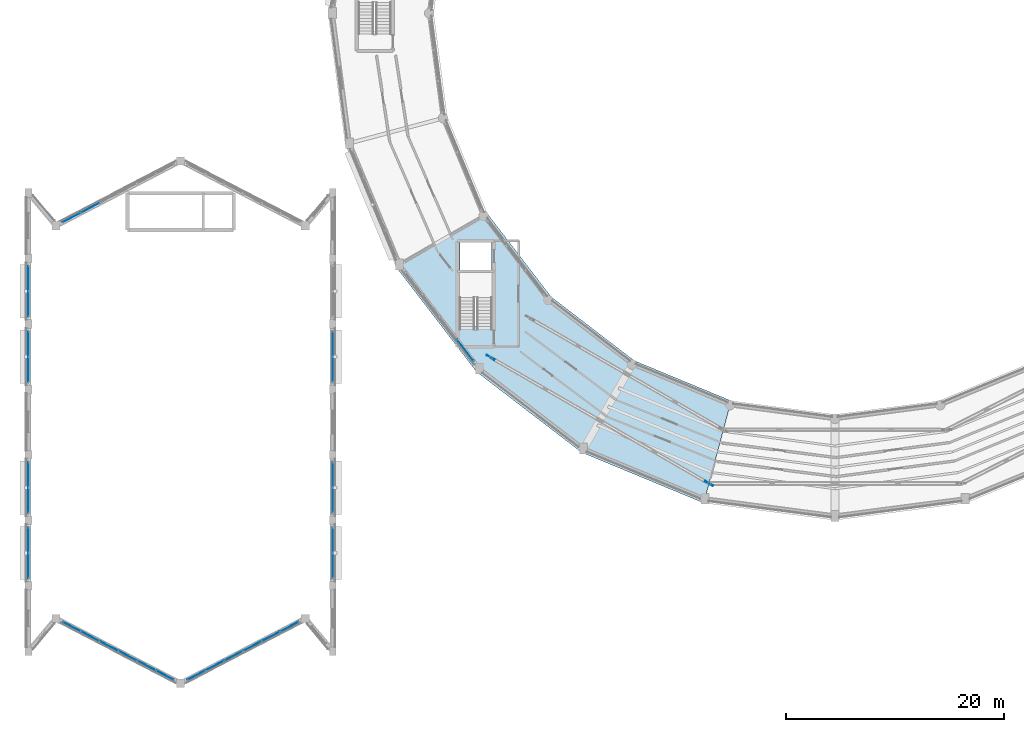
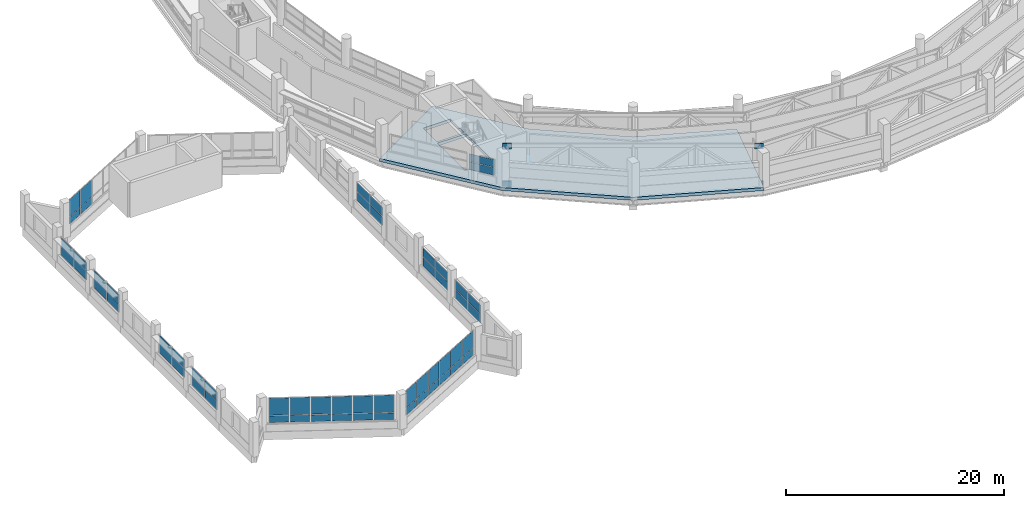
# One storey, part 87 of 121: 62 plates, 1 slab, 11 elements without a shape of their own.
"""IFC4 building model written with IfcOpenShell, lengths in metres."""

from ifc_helpers import new_model, si_unit, direction, frame, origin, origin_2d, place, context, subcontext, project, spatial, polyline, rectangle, outline, extrude, material, layer, layer_set, type_object, element, aggregate, save


model = new_model("IFC4")

# Units and contexts
model_context = context("Model", 3, precision=1e-05, world=origin(), true_north=direction((0.0, 1.0)))
body_context = subcontext(model_context, "Body", "Model", "MODEL_VIEW")
ifc_project = project(units=[si_unit("LENGTHUNIT", "METRE"), si_unit("AREAUNIT", "SQUARE_METRE"), si_unit("VOLUMEUNIT", "CUBIC_METRE"), si_unit("PLANEANGLEUNIT", "RADIAN"), si_unit("MASSUNIT", "GRAM", prefix="KILO")], contexts=[model_context])

# Site, building, storey
site_placement = place(None, origin())
site = spatial("IfcSite", under=ifc_project, at=site_placement, CompositionType="ELEMENT")
building_placement = place(site_placement, origin())
building = spatial("IfcBuilding", under=site, at=building_placement, Name="Vespera Passage Community Centre", CompositionType="ELEMENT")
storey_placement = place(building_placement, frame((0.0, 0.0, 8.699951171875)))
storey = spatial("IfcBuildingStorey", under=building, at=storey_placement, Name="L02", CompositionType="ELEMENT", Elevation=8.699951171875)

# Curtain wall, plates
ifc_material_1 = material(Name="Anodized aluminium 6063-T6", Category="aluminium")
ifc_layer_1 = layer(ifc_material_1, 0.159912109375)
ifc_layer_set_1 = layer_set([ifc_layer_1], Name="Anodized aluminium 6063-T6")
curtain_wall_type_1 = type_object("IfcCurtainWallType", Name="CW-87E", PredefinedType="NOTDEFINED", material=ifc_layer_set_1)
curtain_wall_1_placement = place(storey_placement, origin())
curtain_wall_1 = element("IfcCurtainWall", 1, at=curtain_wall_1_placement, inside=storey, type_object=curtain_wall_type_1, Name="V1 L02 N Apse Ribbon Curtain Wall 2", PredefinedType="NOTDEFINED")
ifc_material_2 = material(Name="Low-E insulated vision glass", Category="glass")
ifc_layer_2 = layer(ifc_material_2, 0.028076171875)
ifc_layer_set_2 = layer_set([ifc_layer_2], Name="Low-E insulated vision glass")
plate_type_1 = type_object("IfcPlateType", Name="PL-CWP-28E", PredefinedType="CURTAIN_PANEL", material=ifc_layer_set_2)
plate_1_placement = place(storey_placement, frame((8.01318359375, 46.751220703125, 0.85986328125), z_axis=(0.0, 0.0, 1.0), x_axis=(0.887012747062, 0.46174493668, 0.0)))
plate_1 = element("IfcPlate", 2, at=plate_1_placement, type_object=plate_type_1, Name="CW-87E panel 1.1", PredefinedType="CURTAIN_PANEL", context=body_context, shape_type="SweptSolid", body=[
    extrude(rectangle(XDim=1.822021484375, YDim=0.028076171875, at=origin_2d()), origin(), (0.0, 0.0, 1.0), 0.760009765625),
])
plate_2_placement = place(storey_placement, frame((8.01318359375, 46.751220703125, 1.68017578125), z_axis=(0.0, 0.0, 1.0), x_axis=(0.887012747062, 0.46174493668, 0.0)))
plate_2 = element("IfcPlate", 3, at=plate_2_placement, type_object=plate_type_1, Name="CW-87E panel 1.2", PredefinedType="CURTAIN_PANEL", context=body_context, shape_type="SweptSolid", body=[
    extrude(rectangle(XDim=1.822021484375, YDim=0.028076171875, at=origin_2d()), origin(), (0.0, 0.0, 1.0), 1.909912109375),
])
plate_3_placement = place(storey_placement, frame((9.71240234375, 47.6357421875, 0.85986328125), z_axis=(0.0, 0.0, 1.0), x_axis=(0.887012747062, 0.46174493668, 0.0)))
plate_3 = element("IfcPlate", 4, at=plate_3_placement, type_object=plate_type_1, Name="CW-87E panel 2.1", PredefinedType="CURTAIN_PANEL", context=body_context, shape_type="SweptSolid", body=[
    extrude(rectangle(XDim=1.859619140625, YDim=0.028076171875, at=origin_2d()), origin(), (0.0, 0.0, 1.0), 0.760009765625),
])
plate_4_placement = place(storey_placement, frame((9.71240234375, 47.6357421875, 1.68017578125), z_axis=(0.0, 0.0, 1.0), x_axis=(0.887012747062, 0.46174493668, 0.0)))
plate_4 = element("IfcPlate", 5, at=plate_4_placement, type_object=plate_type_1, Name="CW-87E panel 2.2", PredefinedType="CURTAIN_PANEL", context=body_context, shape_type="SweptSolid", body=[
    extrude(rectangle(XDim=1.859619140625, YDim=0.028076171875, at=origin_2d()), origin(), (0.0, 0.0, 1.0), 1.909912109375),
])
aggregate(curtain_wall_1, [plate_1, plate_2, plate_3, plate_4])

curtain_wall_2_placement = place(storey_placement, origin())
curtain_wall_2 = element("IfcCurtainWall", 6, at=curtain_wall_2_placement, inside=storey, type_object=curtain_wall_type_1, Name="V1 L02 S Apse Ribbon Curtain Wall 2", PredefinedType="NOTDEFINED")
plate_5_placement = place(storey_placement, frame((27.98681640625, 9.248779296875, 0.85986328125), z_axis=(0.0, 0.0, 1.0), x_axis=(-0.887012747062, -0.46174493668, 0.0)))
plate_5 = element("IfcPlate", 7, at=plate_5_placement, type_object=plate_type_1, Name="CW-87E panel 1.1", PredefinedType="CURTAIN_PANEL", context=body_context, shape_type="SweptSolid", body=[
    extrude(rectangle(XDim=1.822021484375, YDim=0.028076171875, at=origin_2d()), origin(), (0.0, 0.0, 1.0), 0.760009765625),
])
plate_6_placement = place(storey_placement, frame((27.98681640625, 9.248779296875, 1.68017578125), z_axis=(0.0, 0.0, 1.0), x_axis=(-0.887012747062, -0.46174493668, 0.0)))
plate_6 = element("IfcPlate", 8, at=plate_6_placement, type_object=plate_type_1, Name="CW-87E panel 1.2", PredefinedType="CURTAIN_PANEL", context=body_context, shape_type="SweptSolid", body=[
    extrude(rectangle(XDim=1.822021484375, YDim=0.028076171875, at=origin_2d()), origin(), (0.0, 0.0, 1.0), 1.909912109375),
])
plate_7_placement = place(storey_placement, frame((26.28759765625, 8.3642578125, 0.85986328125), z_axis=(0.0, 0.0, 1.0), x_axis=(-0.887012747062, -0.46174493668, 0.0)))
plate_7 = element("IfcPlate", 9, at=plate_7_placement, type_object=plate_type_1, Name="CW-87E panel 2.1", PredefinedType="CURTAIN_PANEL", context=body_context, shape_type="SweptSolid", body=[
    extrude(rectangle(XDim=1.859619140625, YDim=0.028076171875, at=origin_2d()), origin(), (0.0, 0.0, 1.0), 0.760009765625),
])
plate_8_placement = place(storey_placement, frame((26.28759765625, 8.3642578125, 1.68017578125), z_axis=(0.0, 0.0, 1.0), x_axis=(-0.887012747062, -0.46174493668, 0.0)))
plate_8 = element("IfcPlate", 10, at=plate_8_placement, type_object=plate_type_1, Name="CW-87E panel 2.2", PredefinedType="CURTAIN_PANEL", context=body_context, shape_type="SweptSolid", body=[
    extrude(rectangle(XDim=1.859619140625, YDim=0.028076171875, at=origin_2d()), origin(), (0.0, 0.0, 1.0), 1.909912109375),
])
plate_9_placement = place(storey_placement, frame((24.571533203125, 7.470947265625, 0.85986328125), z_axis=(0.0, 0.0, 1.0), x_axis=(-0.887012747062, -0.46174493668, 0.0)))
plate_9 = element("IfcPlate", 11, at=plate_9_placement, type_object=plate_type_1, Name="CW-87E panel 3.1", PredefinedType="CURTAIN_PANEL", context=body_context, shape_type="SweptSolid", body=[
    extrude(rectangle(XDim=1.859619140625, YDim=0.028076171875, at=origin_2d()), origin(), (0.0, 0.0, 1.0), 0.760009765625),
])
plate_10_placement = place(storey_placement, frame((24.571533203125, 7.470947265625, 1.68017578125), z_axis=(0.0, 0.0, 1.0), x_axis=(-0.887012747062, -0.46174493668, 0.0)))
plate_10 = element("IfcPlate", 12, at=plate_10_placement, type_object=plate_type_1, Name="CW-87E panel 3.2", PredefinedType="CURTAIN_PANEL", context=body_context, shape_type="SweptSolid", body=[
    extrude(rectangle(XDim=1.859619140625, YDim=0.028076171875, at=origin_2d()), origin(), (0.0, 0.0, 1.0), 1.909912109375),
])
plate_11_placement = place(storey_placement, frame((22.855712890625, 6.57763671875, 0.85986328125), z_axis=(0.0, 0.0, 1.0), x_axis=(-0.887012747062, -0.46174493668, 0.0)))
plate_11 = element("IfcPlate", 13, at=plate_11_placement, type_object=plate_type_1, Name="CW-87E panel 4.1", PredefinedType="CURTAIN_PANEL", context=body_context, shape_type="SweptSolid", body=[
    extrude(rectangle(XDim=1.859619140625, YDim=0.028076171875, at=origin_2d()), origin(), (0.0, 0.0, 1.0), 0.760009765625),
])
plate_12_placement = place(storey_placement, frame((22.855712890625, 6.57763671875, 1.68017578125), z_axis=(0.0, 0.0, 1.0), x_axis=(-0.887012747062, -0.46174493668, 0.0)))
plate_12 = element("IfcPlate", 14, at=plate_12_placement, type_object=plate_type_1, Name="CW-87E panel 4.2", PredefinedType="CURTAIN_PANEL", context=body_context, shape_type="SweptSolid", body=[
    extrude(rectangle(XDim=1.859619140625, YDim=0.028076171875, at=origin_2d()), origin(), (0.0, 0.0, 1.0), 1.909912109375),
])
plate_13_placement = place(storey_placement, frame((21.1396484375, 5.684326171875, 0.85986328125), z_axis=(0.0, 0.0, 1.0), x_axis=(-0.887012747062, -0.46174493668, 0.0)))
plate_13 = element("IfcPlate", 15, at=plate_13_placement, type_object=plate_type_1, Name="CW-87E panel 5.1", PredefinedType="CURTAIN_PANEL", context=body_context, shape_type="SweptSolid", body=[
    extrude(rectangle(XDim=1.859619140625, YDim=0.028076171875, at=origin_2d()), origin(), (0.0, 0.0, 1.0), 0.760009765625),
])
plate_14_placement = place(storey_placement, frame((21.1396484375, 5.684326171875, 1.68017578125), z_axis=(0.0, 0.0, 1.0), x_axis=(-0.887012747062, -0.46174493668, 0.0)))
plate_14 = element("IfcPlate", 16, at=plate_14_placement, type_object=plate_type_1, Name="CW-87E panel 5.2", PredefinedType="CURTAIN_PANEL", context=body_context, shape_type="SweptSolid", body=[
    extrude(rectangle(XDim=1.859619140625, YDim=0.028076171875, at=origin_2d()), origin(), (0.0, 0.0, 1.0), 1.909912109375),
])
plate_15_placement = place(storey_placement, frame((19.4404296875, 4.7998046875, 0.85986328125), z_axis=(0.0, 0.0, 1.0), x_axis=(-0.887012747062, -0.46174493668, 0.0)))
plate_15 = element("IfcPlate", 17, at=plate_15_placement, type_object=plate_type_1, Name="CW-87E panel 6.1", PredefinedType="CURTAIN_PANEL", context=body_context, shape_type="SweptSolid", body=[
    extrude(rectangle(XDim=1.822021484375, YDim=0.028076171875, at=origin_2d()), origin(), (0.0, 0.0, 1.0), 0.760009765625),
])
plate_16_placement = place(storey_placement, frame((19.4404296875, 4.7998046875, 1.68017578125), z_axis=(0.0, 0.0, 1.0), x_axis=(-0.887012747062, -0.46174493668, 0.0)))
plate_16 = element("IfcPlate", 18, at=plate_16_placement, type_object=plate_type_1, Name="CW-87E panel 6.2", PredefinedType="CURTAIN_PANEL", context=body_context, shape_type="SweptSolid", body=[
    extrude(rectangle(XDim=1.822021484375, YDim=0.028076171875, at=origin_2d()), origin(), (0.0, 0.0, 1.0), 1.909912109375),
])
aggregate(curtain_wall_2, [plate_5, plate_6, plate_7, plate_8, plate_9, plate_10, plate_11, plate_12, plate_13, plate_14, plate_15, plate_16])

curtain_wall_3_placement = place(storey_placement, origin())
curtain_wall_3 = element("IfcCurtainWall", 19, at=curtain_wall_3_placement, inside=storey, type_object=curtain_wall_type_1, Name="V1 L02 S Apse Ribbon Curtain Wall 3", PredefinedType="NOTDEFINED")
plate_17_placement = place(storey_placement, frame((16.5595703125, 4.7998046875, 0.85986328125), z_axis=(0.0, 0.0, 1.0), x_axis=(-0.887012747062, 0.46174493668, 0.0)))
plate_17 = element("IfcPlate", 20, at=plate_17_placement, type_object=plate_type_1, Name="CW-87E panel 1.1", PredefinedType="CURTAIN_PANEL", context=body_context, shape_type="SweptSolid", body=[
    extrude(rectangle(XDim=1.822021484375, YDim=0.028076171875, at=origin_2d()), origin(), (0.0, 0.0, 1.0), 0.760009765625),
])
plate_18_placement = place(storey_placement, frame((16.5595703125, 4.7998046875, 1.68017578125), z_axis=(0.0, 0.0, 1.0), x_axis=(-0.887012747062, 0.46174493668, 0.0)))
plate_18 = element("IfcPlate", 21, at=plate_18_placement, type_object=plate_type_1, Name="CW-87E panel 1.2", PredefinedType="CURTAIN_PANEL", context=body_context, shape_type="SweptSolid", body=[
    extrude(rectangle(XDim=1.822021484375, YDim=0.028076171875, at=origin_2d()), origin(), (0.0, 0.0, 1.0), 1.909912109375),
])
plate_19_placement = place(storey_placement, frame((14.8603515625, 5.684326171875, 0.85986328125), z_axis=(0.0, 0.0, 1.0), x_axis=(-0.887012747062, 0.46174493668, 0.0)))
plate_19 = element("IfcPlate", 22, at=plate_19_placement, type_object=plate_type_1, Name="CW-87E panel 2.1", PredefinedType="CURTAIN_PANEL", context=body_context, shape_type="SweptSolid", body=[
    extrude(rectangle(XDim=1.859619140625, YDim=0.028076171875, at=origin_2d()), origin(), (0.0, 0.0, 1.0), 0.760009765625),
])
plate_20_placement = place(storey_placement, frame((14.8603515625, 5.684326171875, 1.68017578125), z_axis=(0.0, 0.0, 1.0), x_axis=(-0.887012747062, 0.46174493668, 0.0)))
plate_20 = element("IfcPlate", 23, at=plate_20_placement, type_object=plate_type_1, Name="CW-87E panel 2.2", PredefinedType="CURTAIN_PANEL", context=body_context, shape_type="SweptSolid", body=[
    extrude(rectangle(XDim=1.859619140625, YDim=0.028076171875, at=origin_2d()), origin(), (0.0, 0.0, 1.0), 1.909912109375),
])
plate_21_placement = place(storey_placement, frame((13.144287109375, 6.57763671875, 0.85986328125), z_axis=(0.0, 0.0, 1.0), x_axis=(-0.887012747062, 0.46174493668, 0.0)))
plate_21 = element("IfcPlate", 24, at=plate_21_placement, type_object=plate_type_1, Name="CW-87E panel 3.1", PredefinedType="CURTAIN_PANEL", context=body_context, shape_type="SweptSolid", body=[
    extrude(rectangle(XDim=1.859619140625, YDim=0.028076171875, at=origin_2d()), origin(), (0.0, 0.0, 1.0), 0.760009765625),
])
plate_22_placement = place(storey_placement, frame((13.144287109375, 6.57763671875, 1.68017578125), z_axis=(0.0, 0.0, 1.0), x_axis=(-0.887012747062, 0.46174493668, 0.0)))
plate_22 = element("IfcPlate", 25, at=plate_22_placement, type_object=plate_type_1, Name="CW-87E panel 3.2", PredefinedType="CURTAIN_PANEL", context=body_context, shape_type="SweptSolid", body=[
    extrude(rectangle(XDim=1.859619140625, YDim=0.028076171875, at=origin_2d()), origin(), (0.0, 0.0, 1.0), 1.909912109375),
])
plate_23_placement = place(storey_placement, frame((11.428466796875, 7.470947265625, 0.85986328125), z_axis=(0.0, 0.0, 1.0), x_axis=(-0.887012747062, 0.46174493668, 0.0)))
plate_23 = element("IfcPlate", 26, at=plate_23_placement, type_object=plate_type_1, Name="CW-87E panel 4.1", PredefinedType="CURTAIN_PANEL", context=body_context, shape_type="SweptSolid", body=[
    extrude(rectangle(XDim=1.859619140625, YDim=0.028076171875, at=origin_2d()), origin(), (0.0, 0.0, 1.0), 0.760009765625),
])
plate_24_placement = place(storey_placement, frame((11.428466796875, 7.470947265625, 1.68017578125), z_axis=(0.0, 0.0, 1.0), x_axis=(-0.887012747062, 0.46174493668, 0.0)))
plate_24 = element("IfcPlate", 27, at=plate_24_placement, type_object=plate_type_1, Name="CW-87E panel 4.2", PredefinedType="CURTAIN_PANEL", context=body_context, shape_type="SweptSolid", body=[
    extrude(rectangle(XDim=1.859619140625, YDim=0.028076171875, at=origin_2d()), origin(), (0.0, 0.0, 1.0), 1.909912109375),
])
plate_25_placement = place(storey_placement, frame((9.71240234375, 8.3642578125, 0.85986328125), z_axis=(0.0, 0.0, 1.0), x_axis=(-0.887012747062, 0.46174493668, 0.0)))
plate_25 = element("IfcPlate", 28, at=plate_25_placement, type_object=plate_type_1, Name="CW-87E panel 5.1", PredefinedType="CURTAIN_PANEL", context=body_context, shape_type="SweptSolid", body=[
    extrude(rectangle(XDim=1.859619140625, YDim=0.028076171875, at=origin_2d()), origin(), (0.0, 0.0, 1.0), 0.760009765625),
])
plate_26_placement = place(storey_placement, frame((9.71240234375, 8.3642578125, 1.68017578125), z_axis=(0.0, 0.0, 1.0), x_axis=(-0.887012747062, 0.46174493668, 0.0)))
plate_26 = element("IfcPlate", 29, at=plate_26_placement, type_object=plate_type_1, Name="CW-87E panel 5.2", PredefinedType="CURTAIN_PANEL", context=body_context, shape_type="SweptSolid", body=[
    extrude(rectangle(XDim=1.859619140625, YDim=0.028076171875, at=origin_2d()), origin(), (0.0, 0.0, 1.0), 1.909912109375),
])
plate_27_placement = place(storey_placement, frame((8.01318359375, 9.248779296875, 0.85986328125), z_axis=(0.0, 0.0, 1.0), x_axis=(-0.887012747062, 0.46174493668, 0.0)))
plate_27 = element("IfcPlate", 30, at=plate_27_placement, type_object=plate_type_1, Name="CW-87E panel 6.1", PredefinedType="CURTAIN_PANEL", context=body_context, shape_type="SweptSolid", body=[
    extrude(rectangle(XDim=1.822021484375, YDim=0.028076171875, at=origin_2d()), origin(), (0.0, 0.0, 1.0), 0.760009765625),
])
plate_28_placement = place(storey_placement, frame((8.01318359375, 9.248779296875, 1.68017578125), z_axis=(0.0, 0.0, 1.0), x_axis=(-0.887012747062, 0.46174493668, 0.0)))
plate_28 = element("IfcPlate", 31, at=plate_28_placement, type_object=plate_type_1, Name="CW-87E panel 6.2", PredefinedType="CURTAIN_PANEL", context=body_context, shape_type="SweptSolid", body=[
    extrude(rectangle(XDim=1.822021484375, YDim=0.028076171875, at=origin_2d()), origin(), (0.0, 0.0, 1.0), 1.909912109375),
])
aggregate(curtain_wall_3, [plate_17, plate_18, plate_19, plate_20, plate_21, plate_22, plate_23, plate_24, plate_25, plate_26, plate_27, plate_28])

ifc_material_3 = material(Name="Anodized aluminium 6063-T6", Category="aluminium")
ifc_layer_3 = layer(ifc_material_3, 0.159912109375)
ifc_layer_set_3 = layer_set([ifc_layer_3], Name="Anodized aluminium 6063-T6")
curtain_wall_type_2 = type_object("IfcCurtainWallType", Name="CW-36E", PredefinedType="NOTDEFINED", material=ifc_layer_set_3)
curtain_wall_4_placement = place(storey_placement, origin())
curtain_wall_4 = element("IfcCurtainWall", 32, at=curtain_wall_4_placement, inside=storey, type_object=curtain_wall_type_2, Name="V4 L02 Outer Ribbon Curtain Wall 14", PredefinedType="NOTDEFINED")
ifc_material_4 = material(Name="Acoustic triple-glazed vision glass", Category="glass")
ifc_layer_4 = layer(ifc_material_4, 0.035888671875)
ifc_layer_set_4 = layer_set([ifc_layer_4], Name="Acoustic triple-glazed vision glass")
plate_type_2 = type_object("IfcPlateType", Name="PL-CWP-36E", PredefinedType="CURTAIN_PANEL", material=ifc_layer_set_4)
plate_29_placement = place(storey_placement, frame((44.095703125, 34.605224609375, 0.880126953125), z_axis=(0.0, 0.0, 1.0), x_axis=(-0.608765447029, 0.793350257139, 0.0)))
plate_29 = element("IfcPlate", 33, at=plate_29_placement, type_object=plate_type_2, Name="CW-36E panel 1.1", PredefinedType="CURTAIN_PANEL", context=body_context, shape_type="SweptSolid", body=[
    extrude(rectangle(XDim=2.480712890625, YDim=0.035888671875, at=origin_2d()), origin(), (0.0, 0.0, 1.0), 0.8427734375),
])
plate_30_placement = place(storey_placement, frame((44.095703125, 34.605224609375, 1.782958984375), z_axis=(0.0, 0.0, 1.0), x_axis=(-0.608765447029, 0.793350257139, 0.0)))
plate_30 = element("IfcPlate", 34, at=plate_30_placement, type_object=plate_type_2, Name="CW-36E panel 1.2", PredefinedType="CURTAIN_PANEL", context=body_context, shape_type="SweptSolid", body=[
    extrude(rectangle(XDim=2.480712890625, YDim=0.035888671875, at=origin_2d()), origin(), (0.0, 0.0, 1.0), 0.8427734375),
])
aggregate(curtain_wall_4, [plate_29, plate_30])

ifc_material_5 = material(Name="Anodized aluminium 6063-T6", Category="aluminium")
ifc_layer_5 = layer(ifc_material_5, 0.159912109375)
ifc_layer_set_5 = layer_set([ifc_layer_5], Name="Anodized aluminium 6063-T6")
curtain_wall_type_3 = type_object("IfcCurtainWallType", Name="CW-86E", PredefinedType="NOTDEFINED", material=ifc_layer_set_5)
curtain_wall_5_placement = place(storey_placement, origin())
curtain_wall_5 = element("IfcCurtainWall", 35, at=curtain_wall_5_placement, inside=storey, type_object=curtain_wall_type_3, Name="Main Hall Acoustic Curtain Wall L02 W2", PredefinedType="NOTDEFINED")
plate_31_placement = place(storey_placement, frame((4.050048828125, 14.831298828125, 0.91015625), z_axis=(0.0, 0.0, 1.0), x_axis=(0.0, 1.0, 0.0)))
plate_31 = element("IfcPlate", 36, at=plate_31_placement, type_object=plate_type_2, Name="CW-86E panel 1.1", PredefinedType="CURTAIN_PANEL", context=body_context, shape_type="SweptSolid", body=[
    extrude(rectangle(XDim=2.262451171875, YDim=0.035888671875, at=origin_2d()), origin(), (0.0, 0.0, 1.0), 0.967529296875),
])
plate_32_placement = place(storey_placement, frame((4.050048828125, 14.831298828125, 1.9375), z_axis=(0.0, 0.0, 1.0), x_axis=(0.0, 1.0, 0.0)))
plate_32 = element("IfcPlate", 37, at=plate_32_placement, type_object=plate_type_2, Name="CW-86E panel 1.2", PredefinedType="CURTAIN_PANEL", context=body_context, shape_type="SweptSolid", body=[
    extrude(rectangle(XDim=2.262451171875, YDim=0.035888671875, at=origin_2d()), origin(), (0.0, 0.0, 1.0), 0.967529296875),
])
plate_33_placement = place(storey_placement, frame((4.050048828125, 17.168701171875, 0.91015625), z_axis=(0.0, 0.0, 1.0), x_axis=(0.0, 1.0, 0.0)))
plate_33 = element("IfcPlate", 38, at=plate_33_placement, type_object=plate_type_2, Name="CW-86E panel 2.1", PredefinedType="CURTAIN_PANEL", context=body_context, shape_type="SweptSolid", body=[
    extrude(rectangle(XDim=2.262451171875, YDim=0.035888671875, at=origin_2d()), origin(), (0.0, 0.0, 1.0), 0.967529296875),
])
plate_34_placement = place(storey_placement, frame((4.050048828125, 17.168701171875, 1.9375), z_axis=(0.0, 0.0, 1.0), x_axis=(0.0, 1.0, 0.0)))
plate_34 = element("IfcPlate", 39, at=plate_34_placement, type_object=plate_type_2, Name="CW-86E panel 2.2", PredefinedType="CURTAIN_PANEL", context=body_context, shape_type="SweptSolid", body=[
    extrude(rectangle(XDim=2.262451171875, YDim=0.035888671875, at=origin_2d()), origin(), (0.0, 0.0, 1.0), 0.967529296875),
])
aggregate(curtain_wall_5, [plate_31, plate_32, plate_33, plate_34])

curtain_wall_6_placement = place(storey_placement, origin())
curtain_wall_6 = element("IfcCurtainWall", 40, at=curtain_wall_6_placement, inside=storey, type_object=curtain_wall_type_3, Name="Main Hall Acoustic Curtain Wall L02 E2", PredefinedType="NOTDEFINED")
plate_35_placement = place(storey_placement, frame((31.949951171875, 17.168701171875, 0.91015625), z_axis=(0.0, 0.0, 1.0), x_axis=(0.0, -1.0, 0.0)))
plate_35 = element("IfcPlate", 41, at=plate_35_placement, type_object=plate_type_2, Name="CW-86E panel 1.1", PredefinedType="CURTAIN_PANEL", context=body_context, shape_type="SweptSolid", body=[
    extrude(rectangle(XDim=2.262451171875, YDim=0.035888671875, at=origin_2d()), origin(), (0.0, 0.0, 1.0), 0.967529296875),
])
plate_36_placement = place(storey_placement, frame((31.949951171875, 17.168701171875, 1.9375), z_axis=(0.0, 0.0, 1.0), x_axis=(0.0, -1.0, 0.0)))
plate_36 = element("IfcPlate", 42, at=plate_36_placement, type_object=plate_type_2, Name="CW-86E panel 1.2", PredefinedType="CURTAIN_PANEL", context=body_context, shape_type="SweptSolid", body=[
    extrude(rectangle(XDim=2.262451171875, YDim=0.035888671875, at=origin_2d()), origin(), (0.0, 0.0, 1.0), 0.967529296875),
])
plate_37_placement = place(storey_placement, frame((31.949951171875, 14.831298828125, 0.91015625), z_axis=(0.0, 0.0, 1.0), x_axis=(0.0, -1.0, 0.0)))
plate_37 = element("IfcPlate", 43, at=plate_37_placement, type_object=plate_type_2, Name="CW-86E panel 2.1", PredefinedType="CURTAIN_PANEL", context=body_context, shape_type="SweptSolid", body=[
    extrude(rectangle(XDim=2.262451171875, YDim=0.035888671875, at=origin_2d()), origin(), (0.0, 0.0, 1.0), 0.967529296875),
])
plate_38_placement = place(storey_placement, frame((31.949951171875, 14.831298828125, 1.9375), z_axis=(0.0, 0.0, 1.0), x_axis=(0.0, -1.0, 0.0)))
plate_38 = element("IfcPlate", 44, at=plate_38_placement, type_object=plate_type_2, Name="CW-86E panel 2.2", PredefinedType="CURTAIN_PANEL", context=body_context, shape_type="SweptSolid", body=[
    extrude(rectangle(XDim=2.262451171875, YDim=0.035888671875, at=origin_2d()), origin(), (0.0, 0.0, 1.0), 0.967529296875),
])
aggregate(curtain_wall_6, [plate_35, plate_36, plate_37, plate_38])

curtain_wall_7_placement = place(storey_placement, origin())
curtain_wall_7 = element("IfcCurtainWall", 45, at=curtain_wall_7_placement, inside=storey, type_object=curtain_wall_type_3, Name="Main Hall Acoustic Curtain Wall L02 W3", PredefinedType="NOTDEFINED")
plate_39_placement = place(storey_placement, frame((4.050048828125, 20.831298828125, 0.91015625), z_axis=(0.0, 0.0, 1.0), x_axis=(0.0, 1.0, 0.0)))
plate_39 = element("IfcPlate", 46, at=plate_39_placement, type_object=plate_type_2, Name="CW-86E panel 1.1", PredefinedType="CURTAIN_PANEL", context=body_context, shape_type="SweptSolid", body=[
    extrude(rectangle(XDim=2.262451171875, YDim=0.035888671875, at=origin_2d()), origin(), (0.0, 0.0, 1.0), 0.967529296875),
])
plate_40_placement = place(storey_placement, frame((4.050048828125, 20.831298828125, 1.9375), z_axis=(0.0, 0.0, 1.0), x_axis=(0.0, 1.0, 0.0)))
plate_40 = element("IfcPlate", 47, at=plate_40_placement, type_object=plate_type_2, Name="CW-86E panel 1.2", PredefinedType="CURTAIN_PANEL", context=body_context, shape_type="SweptSolid", body=[
    extrude(rectangle(XDim=2.262451171875, YDim=0.035888671875, at=origin_2d()), origin(), (0.0, 0.0, 1.0), 0.967529296875),
])
plate_41_placement = place(storey_placement, frame((4.050048828125, 23.168701171875, 0.91015625), z_axis=(0.0, 0.0, 1.0), x_axis=(0.0, 1.0, 0.0)))
plate_41 = element("IfcPlate", 48, at=plate_41_placement, type_object=plate_type_2, Name="CW-86E panel 2.1", PredefinedType="CURTAIN_PANEL", context=body_context, shape_type="SweptSolid", body=[
    extrude(rectangle(XDim=2.262451171875, YDim=0.035888671875, at=origin_2d()), origin(), (0.0, 0.0, 1.0), 0.967529296875),
])
plate_42_placement = place(storey_placement, frame((4.050048828125, 23.168701171875, 1.9375), z_axis=(0.0, 0.0, 1.0), x_axis=(0.0, 1.0, 0.0)))
plate_42 = element("IfcPlate", 49, at=plate_42_placement, type_object=plate_type_2, Name="CW-86E panel 2.2", PredefinedType="CURTAIN_PANEL", context=body_context, shape_type="SweptSolid", body=[
    extrude(rectangle(XDim=2.262451171875, YDim=0.035888671875, at=origin_2d()), origin(), (0.0, 0.0, 1.0), 0.967529296875),
])
aggregate(curtain_wall_7, [plate_39, plate_40, plate_41, plate_42])

curtain_wall_8_placement = place(storey_placement, origin())
curtain_wall_8 = element("IfcCurtainWall", 50, at=curtain_wall_8_placement, inside=storey, type_object=curtain_wall_type_3, Name="Main Hall Acoustic Curtain Wall L02 E3", PredefinedType="NOTDEFINED")
plate_43_placement = place(storey_placement, frame((31.949951171875, 23.168701171875, 0.91015625), z_axis=(0.0, 0.0, 1.0), x_axis=(0.0, -1.0, 0.0)))
plate_43 = element("IfcPlate", 51, at=plate_43_placement, type_object=plate_type_2, Name="CW-86E panel 1.1", PredefinedType="CURTAIN_PANEL", context=body_context, shape_type="SweptSolid", body=[
    extrude(rectangle(XDim=2.262451171875, YDim=0.035888671875, at=origin_2d()), origin(), (0.0, 0.0, 1.0), 0.967529296875),
])
plate_44_placement = place(storey_placement, frame((31.949951171875, 23.168701171875, 1.9375), z_axis=(0.0, 0.0, 1.0), x_axis=(0.0, -1.0, 0.0)))
plate_44 = element("IfcPlate", 52, at=plate_44_placement, type_object=plate_type_2, Name="CW-86E panel 1.2", PredefinedType="CURTAIN_PANEL", context=body_context, shape_type="SweptSolid", body=[
    extrude(rectangle(XDim=2.262451171875, YDim=0.035888671875, at=origin_2d()), origin(), (0.0, 0.0, 1.0), 0.967529296875),
])
plate_45_placement = place(storey_placement, frame((31.949951171875, 20.831298828125, 0.91015625), z_axis=(0.0, 0.0, 1.0), x_axis=(0.0, -1.0, 0.0)))
plate_45 = element("IfcPlate", 53, at=plate_45_placement, type_object=plate_type_2, Name="CW-86E panel 2.1", PredefinedType="CURTAIN_PANEL", context=body_context, shape_type="SweptSolid", body=[
    extrude(rectangle(XDim=2.262451171875, YDim=0.035888671875, at=origin_2d()), origin(), (0.0, 0.0, 1.0), 0.967529296875),
])
plate_46_placement = place(storey_placement, frame((31.949951171875, 20.831298828125, 1.9375), z_axis=(0.0, 0.0, 1.0), x_axis=(0.0, -1.0, 0.0)))
plate_46 = element("IfcPlate", 54, at=plate_46_placement, type_object=plate_type_2, Name="CW-86E panel 2.2", PredefinedType="CURTAIN_PANEL", context=body_context, shape_type="SweptSolid", body=[
    extrude(rectangle(XDim=2.262451171875, YDim=0.035888671875, at=origin_2d()), origin(), (0.0, 0.0, 1.0), 0.967529296875),
])
aggregate(curtain_wall_8, [plate_43, plate_44, plate_45, plate_46])

curtain_wall_9_placement = place(storey_placement, origin())
curtain_wall_9 = element("IfcCurtainWall", 55, at=curtain_wall_9_placement, inside=storey, type_object=curtain_wall_type_3, Name="Main Hall Acoustic Curtain Wall L02 W5", PredefinedType="NOTDEFINED")
plate_47_placement = place(storey_placement, frame((4.050048828125, 32.831298828125, 0.91015625), z_axis=(0.0, 0.0, 1.0), x_axis=(0.0, 1.0, 0.0)))
plate_47 = element("IfcPlate", 56, at=plate_47_placement, type_object=plate_type_2, Name="CW-86E panel 1.1", PredefinedType="CURTAIN_PANEL", context=body_context, shape_type="SweptSolid", body=[
    extrude(rectangle(XDim=2.262451171875, YDim=0.035888671875, at=origin_2d()), origin(), (0.0, 0.0, 1.0), 0.967529296875),
])
plate_48_placement = place(storey_placement, frame((4.050048828125, 32.831298828125, 1.9375), z_axis=(0.0, 0.0, 1.0), x_axis=(0.0, 1.0, 0.0)))
plate_48 = element("IfcPlate", 57, at=plate_48_placement, type_object=plate_type_2, Name="CW-86E panel 1.2", PredefinedType="CURTAIN_PANEL", context=body_context, shape_type="SweptSolid", body=[
    extrude(rectangle(XDim=2.262451171875, YDim=0.035888671875, at=origin_2d()), origin(), (0.0, 0.0, 1.0), 0.967529296875),
])
plate_49_placement = place(storey_placement, frame((4.050048828125, 35.168701171875, 0.91015625), z_axis=(0.0, 0.0, 1.0), x_axis=(0.0, 1.0, 0.0)))
plate_49 = element("IfcPlate", 58, at=plate_49_placement, type_object=plate_type_2, Name="CW-86E panel 2.1", PredefinedType="CURTAIN_PANEL", context=body_context, shape_type="SweptSolid", body=[
    extrude(rectangle(XDim=2.262451171875, YDim=0.035888671875, at=origin_2d()), origin(), (0.0, 0.0, 1.0), 0.967529296875),
])
plate_50_placement = place(storey_placement, frame((4.050048828125, 35.168701171875, 1.9375), z_axis=(0.0, 0.0, 1.0), x_axis=(0.0, 1.0, 0.0)))
plate_50 = element("IfcPlate", 59, at=plate_50_placement, type_object=plate_type_2, Name="CW-86E panel 2.2", PredefinedType="CURTAIN_PANEL", context=body_context, shape_type="SweptSolid", body=[
    extrude(rectangle(XDim=2.262451171875, YDim=0.035888671875, at=origin_2d()), origin(), (0.0, 0.0, 1.0), 0.967529296875),
])
aggregate(curtain_wall_9, [plate_47, plate_48, plate_49, plate_50])

curtain_wall_10_placement = place(storey_placement, origin())
curtain_wall_10 = element("IfcCurtainWall", 60, at=curtain_wall_10_placement, inside=storey, type_object=curtain_wall_type_3, Name="Main Hall Acoustic Curtain Wall L02 E5", PredefinedType="NOTDEFINED")
plate_51_placement = place(storey_placement, frame((31.949951171875, 35.168701171875, 0.91015625), z_axis=(0.0, 0.0, 1.0), x_axis=(0.0, -1.0, 0.0)))
plate_51 = element("IfcPlate", 61, at=plate_51_placement, type_object=plate_type_2, Name="CW-86E panel 1.1", PredefinedType="CURTAIN_PANEL", context=body_context, shape_type="SweptSolid", body=[
    extrude(rectangle(XDim=2.262451171875, YDim=0.035888671875, at=origin_2d()), origin(), (0.0, 0.0, 1.0), 0.967529296875),
])
plate_52_placement = place(storey_placement, frame((31.949951171875, 35.168701171875, 1.9375), z_axis=(0.0, 0.0, 1.0), x_axis=(0.0, -1.0, 0.0)))
plate_52 = element("IfcPlate", 62, at=plate_52_placement, type_object=plate_type_2, Name="CW-86E panel 1.2", PredefinedType="CURTAIN_PANEL", context=body_context, shape_type="SweptSolid", body=[
    extrude(rectangle(XDim=2.262451171875, YDim=0.035888671875, at=origin_2d()), origin(), (0.0, 0.0, 1.0), 0.967529296875),
])
plate_53_placement = place(storey_placement, frame((31.949951171875, 32.831298828125, 0.91015625), z_axis=(0.0, 0.0, 1.0), x_axis=(0.0, -1.0, 0.0)))
plate_53 = element("IfcPlate", 63, at=plate_53_placement, type_object=plate_type_2, Name="CW-86E panel 2.1", PredefinedType="CURTAIN_PANEL", context=body_context, shape_type="SweptSolid", body=[
    extrude(rectangle(XDim=2.262451171875, YDim=0.035888671875, at=origin_2d()), origin(), (0.0, 0.0, 1.0), 0.967529296875),
])
plate_54_placement = place(storey_placement, frame((31.949951171875, 32.831298828125, 1.9375), z_axis=(0.0, 0.0, 1.0), x_axis=(0.0, -1.0, 0.0)))
plate_54 = element("IfcPlate", 64, at=plate_54_placement, type_object=plate_type_2, Name="CW-86E panel 2.2", PredefinedType="CURTAIN_PANEL", context=body_context, shape_type="SweptSolid", body=[
    extrude(rectangle(XDim=2.262451171875, YDim=0.035888671875, at=origin_2d()), origin(), (0.0, 0.0, 1.0), 0.967529296875),
])
aggregate(curtain_wall_10, [plate_51, plate_52, plate_53, plate_54])

curtain_wall_11_placement = place(storey_placement, origin())
curtain_wall_11 = element("IfcCurtainWall", 65, at=curtain_wall_11_placement, inside=storey, type_object=curtain_wall_type_3, Name="Main Hall Acoustic Curtain Wall L02 W6", PredefinedType="NOTDEFINED")
plate_55_placement = place(storey_placement, frame((4.050048828125, 38.831298828125, 0.91015625), z_axis=(0.0, 0.0, 1.0), x_axis=(0.0, 1.0, 0.0)))
plate_55 = element("IfcPlate", 66, at=plate_55_placement, type_object=plate_type_2, Name="CW-86E panel 1.1", PredefinedType="CURTAIN_PANEL", context=body_context, shape_type="SweptSolid", body=[
    extrude(rectangle(XDim=2.262451171875, YDim=0.035888671875, at=origin_2d()), origin(), (0.0, 0.0, 1.0), 0.967529296875),
])
plate_56_placement = place(storey_placement, frame((4.050048828125, 38.831298828125, 1.9375), z_axis=(0.0, 0.0, 1.0), x_axis=(0.0, 1.0, 0.0)))
plate_56 = element("IfcPlate", 67, at=plate_56_placement, type_object=plate_type_2, Name="CW-86E panel 1.2", PredefinedType="CURTAIN_PANEL", context=body_context, shape_type="SweptSolid", body=[
    extrude(rectangle(XDim=2.262451171875, YDim=0.035888671875, at=origin_2d()), origin(), (0.0, 0.0, 1.0), 0.967529296875),
])
plate_57_placement = place(storey_placement, frame((4.050048828125, 41.168701171875, 0.91015625), z_axis=(0.0, 0.0, 1.0), x_axis=(0.0, 1.0, 0.0)))
plate_57 = element("IfcPlate", 68, at=plate_57_placement, type_object=plate_type_2, Name="CW-86E panel 2.1", PredefinedType="CURTAIN_PANEL", context=body_context, shape_type="SweptSolid", body=[
    extrude(rectangle(XDim=2.262451171875, YDim=0.035888671875, at=origin_2d()), origin(), (0.0, 0.0, 1.0), 0.967529296875),
])
plate_58_placement = place(storey_placement, frame((4.050048828125, 41.168701171875, 1.9375), z_axis=(0.0, 0.0, 1.0), x_axis=(0.0, 1.0, 0.0)))
plate_58 = element("IfcPlate", 69, at=plate_58_placement, type_object=plate_type_2, Name="CW-86E panel 2.2", PredefinedType="CURTAIN_PANEL", context=body_context, shape_type="SweptSolid", body=[
    extrude(rectangle(XDim=2.262451171875, YDim=0.035888671875, at=origin_2d()), origin(), (0.0, 0.0, 1.0), 0.967529296875),
])
aggregate(curtain_wall_11, [plate_55, plate_56, plate_57, plate_58])

# Plates
ifc_material_6 = material(Name="Steel ASTM A572 Grade 50", Category="steel")
ifc_layer_6 = layer(ifc_material_6, 0.074951171875)
ifc_layer_set_6 = layer_set([ifc_layer_6], Name="Steel ASTM A572 Grade 50")
plate_type_3 = type_object("IfcPlateType", Name="PL-NODE-75", PredefinedType="SHEET", material=ifc_layer_set_6)
for number, where, z_axis, x_axis, name in (
    (70, (46.427734375, 33.927734375, -1.10009765625), (0.0, 0.0, 1.0), (0.866025403784, -0.5, 0.0), "Truss TR2O Gusset Plate B1"),
    (71, (46.427734375, 33.927734375, 3.110107421875), (0.0, 0.0, 1.0), (0.866025403784, -0.5, 0.0), "Truss TR2O Gusset Plate T1"),
    (72, (66.443603515625, 22.371337890625, -1.10009765625), (0.0, 0.0, 1.0), (0.866025403784, -0.5, 0.0), "Truss TR2O Gusset Plate B5"),
    (73, (66.443603515625, 22.371337890625, 3.110107421875), (0.0, 0.0, 1.0), (0.866025403784, -0.5, 0.0), "Truss TR2O Gusset Plate T5"),
):
    element("IfcPlate", number, at=place(storey_placement, frame(where, z_axis=z_axis, x_axis=x_axis)), inside=storey, type_object=plate_type_3, Name=name, PredefinedType="SHEET", context=body_context, shape_type="SweptSolid", body=[
        extrude(rectangle(XDim=0.840087890625, YDim=0.074951171875, at=origin_2d()), origin(), (0.0, 0.0, 1.0), 0.6201171875),
    ])

# Slab
ifc_material_7 = material(Name="Concrete f'c 45 MPa", Category="concrete")
ifc_layer_7 = layer(ifc_material_7, 0.340087890625)
ifc_layer_set_7 = layer_set([ifc_layer_7], Name="Concrete f'c 45 MPa")
slab_type = type_object("IfcSlabType", Name="SL-XFER-340", PredefinedType="FLOOR", material=ifc_layer_set_7)
slab_placement = place(storey_placement, frame((0.0, 0.0, -0.33984375)))
element("IfcSlab", 74, at=slab_placement, inside=storey, type_object=slab_type, Name="V4 L02 Annular Sector 6 Slab", PredefinedType="FLOOR", context=body_context, shape_type="SweptSolid", body=[
    extrude(outline(polyline([(51.978515625, 39.478515625), (59.60009765625, 33.63037109375), (68.4755859375, 29.953857421875), (65.96484375, 20.58447265625), (54.75, 25.229736328125), (45.119384765625, 32.619384765625), (37.729736328125, 42.25), (46.13037109375, 47.10009765625), (51.978515625, 39.478515625)]), holes=[polyline([(43.56103515625, 41.719970703125), (43.56103515625, 36.75), (46.56103515625, 36.75), (46.56103515625, 41.719970703125), (43.56103515625, 41.719970703125)]), polyline([(46.510986328125, 44.4599609375), (43.611083984375, 44.4599609375), (43.611083984375, 41.9599609375), (46.510986328125, 41.9599609375), (46.510986328125, 44.4599609375)])]), origin(), (0.0, 0.0, 1.0), 0.33984375),
])

save(model, "model.ifc")
